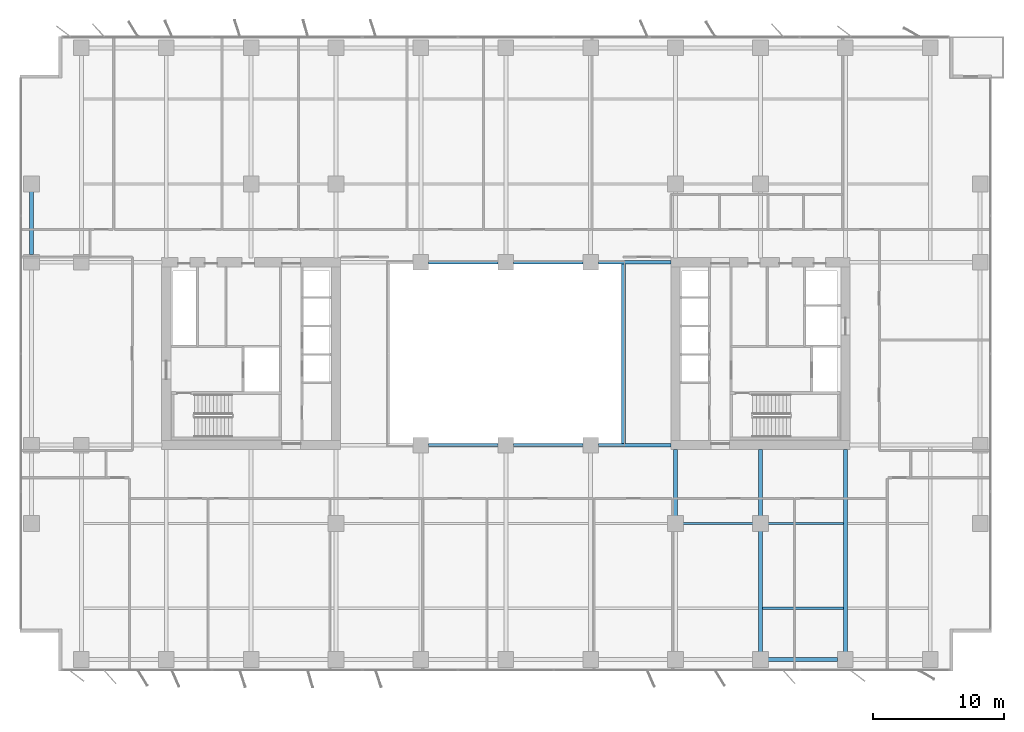
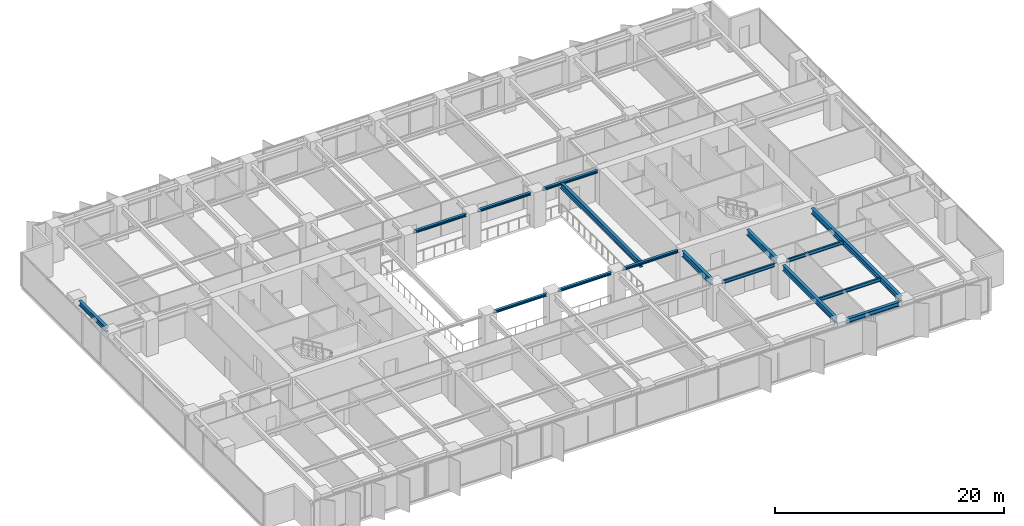
# One storey, part 6 of 20: 16 beams.
"""IFC4 building model written with IfcOpenShell, lengths in metres."""

from ifc_helpers import new_model, si_unit, direction, frame, origin, origin_2d, place, context, subcontext, project, spatial, i_section, extrude, material, material_profile, profile_set, type_object, element, save


model = new_model("IFC4")

# Units and contexts
model_context = context("Model", 3, precision=1e-05, world=origin(), true_north=direction((0.0, 1.0)))
body_context = subcontext(model_context, "Body", "Model", "MODEL_VIEW")
ifc_project = project(units=[si_unit("LENGTHUNIT", "METRE"), si_unit("AREAUNIT", "SQUARE_METRE"), si_unit("VOLUMEUNIT", "CUBIC_METRE"), si_unit("PLANEANGLEUNIT", "RADIAN"), si_unit("MASSUNIT", "GRAM", prefix="KILO")], contexts=[model_context])

# Site, building, storey
site_placement = place(None, origin())
site = spatial("IfcSite", under=ifc_project, at=site_placement, CompositionType="ELEMENT")
building_placement = place(site_placement, origin())
building = spatial("IfcBuilding", under=site, at=building_placement, Name="Putna Gate Headquarters", CompositionType="ELEMENT")
storey_placement = place(building_placement, frame((0.0, 0.0, 127.800048828125)))
storey = spatial("IfcBuildingStorey", under=building, at=storey_placement, Name="L31", CompositionType="ELEMENT", Elevation=127.800048828125)

# Beams
ifc_material = material(Name="Steel S355J2", Category="steel")
ifc_material_profile_1 = material_profile(ifc_material, i_section(OverallWidth=0.260009765625, OverallDepth=0.260009765625, WebThickness=0.010009765625, FlangeThickness=0.017578125, at=origin_2d()), Name="Steel S355J2")
ifc_profile_set_1 = profile_set([ifc_material_profile_1], Name="Steel S355J2")
beam_type_1 = type_object("IfcBeamType", Name="BM-ATRIUM-HEB260", PredefinedType="BEAM", material=ifc_profile_set_1)
for number, where, z_axis, x_axis, name in (
    (1, (33.087890625, 19.0, 3.43505859375), (1.0, 0.0, 0.0), (0.0, 1.0, 0.0), "L31 Atrium Edge Beam AS2"),
    (2, (39.587890625, 19.0, 3.43505859375), (1.0, 0.0, 0.0), (0.0, 1.0, 0.0), "L31 Atrium Edge Beam AS3"),
):
    element("IfcBeam", number, at=place(storey_placement, frame(where, z_axis=z_axis, x_axis=x_axis)), inside=storey, type_object=beam_type_1, Name=name, PredefinedType="BEAM", context=body_context, shape_type="SweptSolid", body=[
        extrude(i_section(OverallWidth=0.260009765625, OverallDepth=0.260009765625, WebThickness=0.010009765625, FlangeThickness=0.017578125, at=origin_2d()), origin(), (0.0, 0.0, 1.0), 5.32421875),
    ])
beam_1_placement = place(storey_placement, frame((46.087890625, 19.0, 3.43505859375), z_axis=(1.0, 0.0, 0.0), x_axis=(0.0, 1.0, 0.0)))
element("IfcBeam", 3, at=beam_1_placement, inside=storey, type_object=beam_type_1, Name="L31 Atrium Edge Beam AS4", PredefinedType="BEAM", context=body_context, shape_type="SweptSolid", body=[
    extrude(i_section(OverallWidth=0.260009765625, OverallDepth=0.260009765625, WebThickness=0.010009765625, FlangeThickness=0.017578125, at=origin_2d()), origin(), (0.0, 0.0, 1.0), 5.5771484375),
])
for number, where, z_axis, x_axis, name in (
    (4, (33.087890625, 33.0, 3.43505859375), (1.0, 0.0, 0.0), (0.0, 1.0, 0.0), "L31 Atrium Edge Beam AN2"),
    (5, (39.587890625, 33.0, 3.43505859375), (1.0, 0.0, 0.0), (0.0, 1.0, 0.0), "L31 Atrium Edge Beam AN3"),
):
    element("IfcBeam", number, at=place(storey_placement, frame(where, z_axis=z_axis, x_axis=x_axis)), inside=storey, type_object=beam_type_1, Name=name, PredefinedType="BEAM", context=body_context, shape_type="SweptSolid", body=[
        extrude(i_section(OverallWidth=0.260009765625, OverallDepth=0.260009765625, WebThickness=0.010009765625, FlangeThickness=0.017578125, at=origin_2d()), origin(), (0.0, 0.0, 1.0), 5.32421875),
    ])
beam_2_placement = place(storey_placement, frame((46.087890625, 33.0, 3.43505859375), z_axis=(1.0, 0.0, 0.0), x_axis=(0.0, 1.0, 0.0)))
element("IfcBeam", 6, at=beam_2_placement, inside=storey, type_object=beam_type_1, Name="L31 Atrium Edge Beam AN4", PredefinedType="BEAM", context=body_context, shape_type="SweptSolid", body=[
    extrude(i_section(OverallWidth=0.260009765625, OverallDepth=0.260009765625, WebThickness=0.010009765625, FlangeThickness=0.017578125, at=origin_2d()), origin(), (0.0, 0.0, 1.0), 5.5771484375),
])
ifc_material_profile_2 = material_profile(ifc_material, i_section(OverallWidth=0.300048828125, OverallDepth=0.60009765625, WebThickness=0.015380859375, FlangeThickness=0.030029296875, at=origin_2d()), Name="Steel S355J2")
ifc_profile_set_2 = profile_set([ifc_material_profile_2], Name="Steel S355J2")
beam_type_2 = type_object("IfcBeamType", Name="BM-GIRD-Z2-HEB600", PredefinedType="USERDEFINED", material=ifc_profile_set_2)
beam_3_placement = place(storey_placement, frame((52.0, 13.587890625, 3.264892578125), z_axis=(0.0, 1.0, 0.0), x_axis=(-1.0, 0.0, 0.0)))
element("IfcBeam", 7, at=beam_3_placement, inside=storey, type_object=beam_type_2, Name="L31 South Primary Girder X52-2", ObjectType="GIRDER", PredefinedType="USERDEFINED", context=body_context, shape_type="SweptSolid", body=[
    extrude(i_section(OverallWidth=0.300048828125, OverallDepth=0.60009765625, WebThickness=0.015380859375, FlangeThickness=0.030029296875, at=origin_2d()), origin(), (0.0, 0.0, 1.0), 5.0771484375),
])
beam_4_placement = place(storey_placement, frame((58.5, 3.16796875, 3.264892578125), z_axis=(0.0, 1.0, 0.0), x_axis=(-1.0, 0.0, 0.0)))
element("IfcBeam", 8, at=beam_4_placement, inside=storey, type_object=beam_type_2, Name="L31 South Primary Girder X58-1", ObjectType="GIRDER", PredefinedType="USERDEFINED", context=body_context, shape_type="SweptSolid", body=[
    extrude(i_section(OverallWidth=0.300048828125, OverallDepth=0.60009765625, WebThickness=0.015380859375, FlangeThickness=0.030029296875, at=origin_2d()), origin(), (0.0, 0.0, 1.0), 9.244140625),
])
beam_5_placement = place(storey_placement, frame((58.5, 13.587890625, 3.264892578125), z_axis=(0.0, 1.0, 0.0), x_axis=(-1.0, 0.0, 0.0)))
element("IfcBeam", 9, at=beam_5_placement, inside=storey, type_object=beam_type_2, Name="L31 South Primary Girder X58-2", ObjectType="GIRDER", PredefinedType="USERDEFINED", context=body_context, shape_type="SweptSolid", body=[
    extrude(i_section(OverallWidth=0.300048828125, OverallDepth=0.60009765625, WebThickness=0.015380859375, FlangeThickness=0.030029296875, at=origin_2d()), origin(), (0.0, 0.0, 1.0), 5.0771484375),
])
beam_6_placement = place(storey_placement, frame((65.0, 3.16796875, 3.264892578125), z_axis=(0.0, 1.0, 0.0), x_axis=(-1.0, 0.0, 0.0)))
element("IfcBeam", 10, at=beam_6_placement, inside=storey, type_object=beam_type_2, Name="L31 South Primary Girder X65", ObjectType="GIRDER", PredefinedType="USERDEFINED", context=body_context, shape_type="SweptSolid", body=[
    extrude(i_section(OverallWidth=0.300048828125, OverallDepth=0.60009765625, WebThickness=0.015380859375, FlangeThickness=0.030029296875, at=origin_2d()), origin(), (0.0, 0.0, 1.0), 15.4970703125),
])
beam_7_placement = place(storey_placement, frame((48.0, 19.010009765625, 3.264892578125), z_axis=(0.0, 1.0, 0.0), x_axis=(-1.0, 0.0, 0.0)))
element("IfcBeam", 11, at=beam_7_placement, inside=storey, type_object=beam_type_2, Name="L31 Atrium Trim Girder AE", ObjectType="GIRDER", PredefinedType="USERDEFINED", context=body_context, shape_type="SweptSolid", body=[
    extrude(i_section(OverallWidth=0.300048828125, OverallDepth=0.60009765625, WebThickness=0.015380859375, FlangeThickness=0.030029296875, at=origin_2d()), origin(), (0.0, 0.0, 1.0), 13.97998046875),
])
ifc_material_profile_3 = material_profile(ifc_material, i_section(OverallWidth=0.169921875, OverallDepth=0.360107421875, WebThickness=0.008056640625, FlangeThickness=0.0126953125, at=origin_2d()), Name="Steel S355J2")
ifc_profile_set_3 = profile_set([ifc_material_profile_3], Name="Steel S355J2")
beam_type_3 = type_object("IfcBeamType", Name="BM-SEC-Z2-IPE360", PredefinedType="BEAM", material=ifc_profile_set_3)
beam_8_placement = place(storey_placement, frame((52.587890625, 13.0, 3.385009765625), z_axis=(1.0, 0.0, 0.0), x_axis=(0.0, 1.0, 0.0)))
element("IfcBeam", 12, at=beam_8_placement, inside=storey, type_object=beam_type_3, Name="L31 South Secondary Beam 8", PredefinedType="BEAM", context=body_context, shape_type="SweptSolid", body=[
    extrude(i_section(OverallWidth=0.169921875, OverallDepth=0.360107421875, WebThickness=0.008056640625, FlangeThickness=0.0126953125, at=origin_2d()), origin(), (0.0, 0.0, 1.0), 5.32421875),
])
beam_9_placement = place(storey_placement, frame((58.654052734375, 6.5, 3.385009765625), z_axis=(1.0, 0.0, 0.0), x_axis=(0.0, 1.0, 0.0)))
element("IfcBeam", 13, at=beam_9_placement, inside=storey, type_object=beam_type_3, Name="L31 South Secondary Beam 9", PredefinedType="BEAM", context=body_context, shape_type="SweptSolid", body=[
    extrude(i_section(OverallWidth=0.169921875, OverallDepth=0.360107421875, WebThickness=0.008056640625, FlangeThickness=0.0126953125, at=origin_2d()), origin(), (0.0, 0.0, 1.0), 6.19189453125),
])
beam_10_placement = place(storey_placement, frame((59.087890625, 13.0, 3.385009765625), z_axis=(1.0, 0.0, 0.0), x_axis=(0.0, 1.0, 0.0)))
element("IfcBeam", 14, at=beam_10_placement, inside=storey, type_object=beam_type_3, Name="L31 South Secondary Beam 9", PredefinedType="BEAM", context=body_context, shape_type="SweptSolid", body=[
    extrude(i_section(OverallWidth=0.169921875, OverallDepth=0.360107421875, WebThickness=0.008056640625, FlangeThickness=0.0126953125, at=origin_2d()), origin(), (0.0, 0.0, 1.0), 5.758056640625),
])
ifc_material_profile_4 = material_profile(ifc_material, i_section(OverallWidth=0.300048828125, OverallDepth=0.489990234375, WebThickness=0.011962890625, FlangeThickness=0.02294921875, at=origin_2d()), Name="Steel S355J2")
ifc_profile_set_4 = profile_set([ifc_material_profile_4], Name="Steel S355J2")
beam_type_4 = type_object("IfcBeamType", Name="BM-SPAN-Z2-HEA500", PredefinedType="SPANDREL", material=ifc_profile_set_4)
beam_11_placement = place(storey_placement, frame((59.087890625, 2.580078125, 3.320068359375), z_axis=(1.0, 0.0, 0.0), x_axis=(0.0, 1.0, 0.0)))
element("IfcBeam", 15, at=beam_11_placement, inside=storey, type_object=beam_type_4, Name="L31 S Perimeter Spandrel 9", PredefinedType="SPANDREL", context=body_context, shape_type="SweptSolid", body=[
    extrude(i_section(OverallWidth=0.300048828125, OverallDepth=0.489990234375, WebThickness=0.011962890625, FlangeThickness=0.02294921875, at=origin_2d()), origin(), (0.0, 0.0, 1.0), 5.32421875),
])
beam_12_placement = place(storey_placement, frame((2.679931640625, 33.587890625, 3.320068359375), z_axis=(0.0, 1.0, 0.0), x_axis=(-1.0, 0.0, 0.0)))
element("IfcBeam", 16, at=beam_12_placement, inside=storey, type_object=beam_type_4, Name="L31 W End Spandrel 3", PredefinedType="SPANDREL", context=body_context, shape_type="SweptSolid", body=[
    extrude(i_section(OverallWidth=0.300048828125, OverallDepth=0.489990234375, WebThickness=0.011962890625, FlangeThickness=0.02294921875, at=origin_2d()), origin(), (0.0, 0.0, 1.0), 4.82421875),
])

save(model, "model.ifc")
